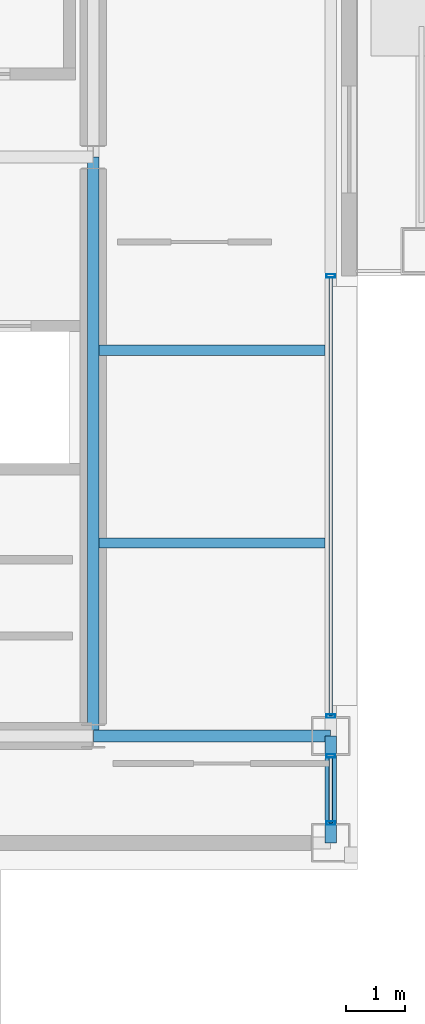
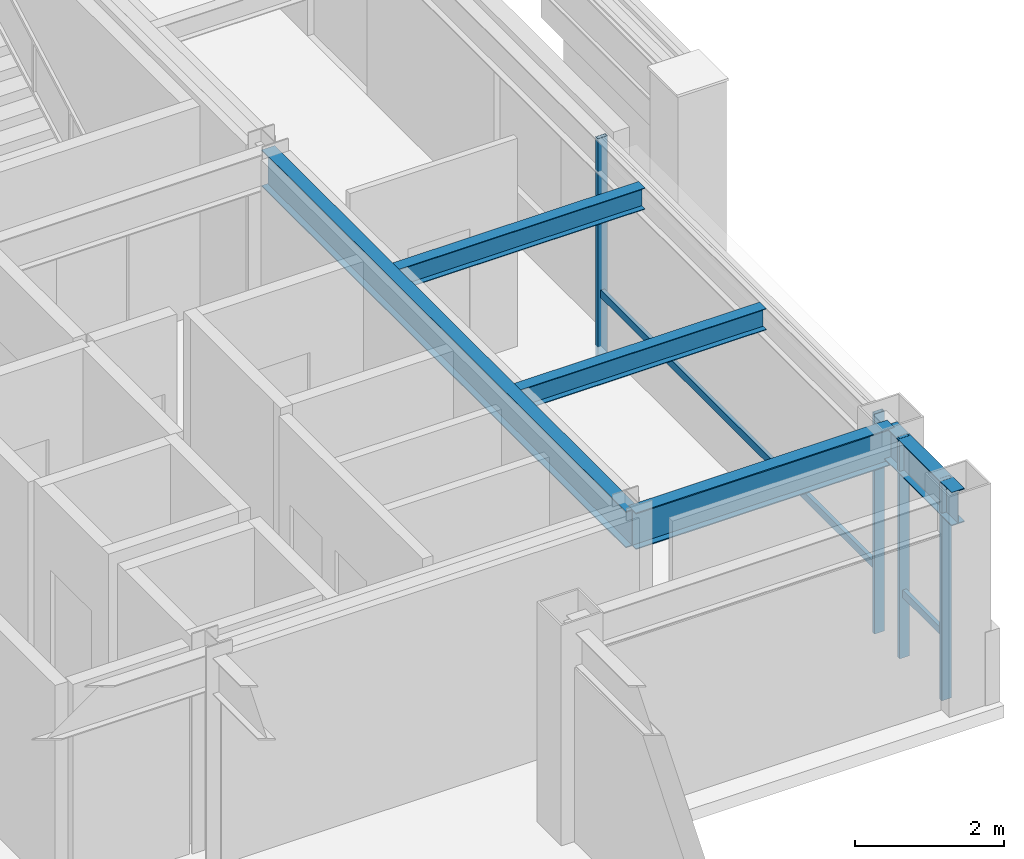
# One storey, part 11 of 24: 6 members, 5 beams, 2 elements without a shape of their own.
"""IFC4 building model written with IfcOpenShell, lengths in metres."""

from ifc_helpers import new_model, si_unit, direction, frame, origin, origin_2d, place, context, subcontext, project, spatial, hollow_rectangle, i_section, extrude, material, layer, layer_set, material_profile, profile_set, type_object, element, aggregate, save


model = new_model("IFC4")

# Units and contexts
model_context = context("Model", 3, precision=1e-05, world=origin(), true_north=direction((0.0, 1.0)))
body_context = subcontext(model_context, "Body", "Model", "MODEL_VIEW")
ifc_project = project(units=[si_unit("LENGTHUNIT", "METRE"), si_unit("AREAUNIT", "SQUARE_METRE"), si_unit("VOLUMEUNIT", "CUBIC_METRE"), si_unit("PLANEANGLEUNIT", "RADIAN"), si_unit("MASSUNIT", "GRAM", prefix="KILO")], contexts=[model_context])

# Site, building, storey
site_placement = place(None, origin())
site = spatial("IfcSite", under=ifc_project, at=site_placement, CompositionType="ELEMENT")
building_placement = place(site_placement, origin())
building = spatial("IfcBuilding", under=site, at=building_placement, Name="Brelmoor Portico Tower", CompositionType="ELEMENT")
storey_placement = place(building_placement, frame((0.0, 0.0, 240.0)))
storey = spatial("IfcBuildingStorey", under=building, at=storey_placement, Name="L63", CompositionType="ELEMENT", Elevation=240.0)

# Beams
ifc_material_1 = material(Name="Steel Q355B", Category="steel")
ifc_material_profile_1 = material_profile(ifc_material_1, i_section(OverallWidth=0.175048828125, OverallDepth=0.35009765625, WebThickness=0.007080078125, FlangeThickness=0.010986328125, at=origin_2d()), Name="HN 350x175x7x11")
ifc_profile_set_1 = profile_set([ifc_material_profile_1], Name="Steel Q355B")
beam_type_1 = type_object("IfcBeamType", Name="BM-JS-350", PredefinedType="JOIST", material=ifc_profile_set_1)
for number, where, z_axis, x_axis, name in (
    (1, (14.64990234375, -6.5, 3.22509765625), (1.0, 0.0, 0.0), (0.0, 1.0, 0.0), "L63 Secondary Wing Joist JS-E11"),
    (2, (14.64990234375, -3.25, 3.22509765625), (1.0, 0.0, 0.0), (0.0, 1.0, 0.0), "L63 Secondary Wing Joist JS-E12"),
):
    element("IfcBeam", number, at=place(storey_placement, frame(where, z_axis=z_axis, x_axis=x_axis)), inside=storey, type_object=beam_type_1, Name=name, PredefinedType="JOIST", context=body_context, shape_type="SweptSolid", body=[
        extrude(i_section(OverallWidth=0.175048828125, OverallDepth=0.35009765625, WebThickness=0.007080078125, FlangeThickness=0.010986328125, at=origin_2d()), origin(), (0.0, 0.0, 1.0), 3.800048828125),
    ])
ifc_material_profile_2 = material_profile(ifc_material_1, i_section(OverallWidth=0.199951171875, OverallDepth=0.60009765625, WebThickness=0.010986328125, FlangeThickness=0.01708984375, at=origin_2d()), Name="HN 600x200x11x17")
ifc_profile_set_2 = profile_set([ifc_material_profile_2], Name="Steel Q355B")
beam_type_2 = type_object("IfcBeamType", Name="BM-PG-600", PredefinedType="BEAM", material=ifc_profile_set_2)
beam_1_placement = place(storey_placement, frame((14.550048828125, -9.75, 3.10009765625), z_axis=(0.0, 1.0, 0.0), x_axis=(-1.0, 0.0, 0.0)))
element("IfcBeam", 3, at=beam_1_placement, inside=storey, type_object=beam_type_2, Name="L63 Primary Floor Girder PG-09", PredefinedType="BEAM", context=body_context, shape_type="SweptSolid", body=[
    extrude(i_section(OverallWidth=0.199951171875, OverallDepth=0.60009765625, WebThickness=0.010986328125, FlangeThickness=0.01708984375, at=origin_2d()), origin(), (0.0, 0.0, 1.0), 9.75),
])
beam_2_placement = place(storey_placement, frame((14.550048828125, -9.75, 3.10009765625), z_axis=(1.0, 0.0, 0.0), x_axis=(0.0, 1.0, 0.0)))
element("IfcBeam", 4, at=beam_2_placement, inside=storey, type_object=beam_type_2, Name="L63 Primary Floor Girder PG-15", PredefinedType="BEAM", context=body_context, shape_type="SweptSolid", body=[
    extrude(i_section(OverallWidth=0.199951171875, OverallDepth=0.60009765625, WebThickness=0.010986328125, FlangeThickness=0.01708984375, at=origin_2d()), origin(), (0.0, 0.0, 1.0), 4.0),
])
ifc_material_profile_3 = material_profile(ifc_material_1, i_section(OverallWidth=0.199951171875, OverallDepth=0.550048828125, WebThickness=0.010009765625, FlangeThickness=0.01611328125, at=origin_2d()), Name="HN 550x200x10x16")
ifc_profile_set_3 = profile_set([ifc_material_profile_3], Name="Steel Q355B")
beam_type_3 = type_object("IfcBeamType", Name="BM-SP-550", PredefinedType="SPANDREL", material=ifc_profile_set_3)
beam_3_placement = place(storey_placement, frame((18.550048828125, -11.550048828125, 3.125), z_axis=(0.0, 1.0, 0.0), x_axis=(-1.0, 0.0, 0.0)))
element("IfcBeam", 5, at=beam_3_placement, inside=storey, type_object=beam_type_3, Name="L63 Perimeter Spandrel Beam SP-18", PredefinedType="SPANDREL", context=body_context, shape_type="SweptSolid", body=[
    extrude(i_section(OverallWidth=0.199951171875, OverallDepth=0.550048828125, WebThickness=0.010009765625, FlangeThickness=0.01611328125, at=origin_2d()), origin(), (0.0, 0.0, 1.0), 1.800048828125),
])

# Curtain wall, members
ifc_material_2 = material(Name="Anodised Aluminium Alloy 6063-T6", Category="aluminium")
ifc_layer = layer(ifc_material_2, 0.179931640625)
ifc_layer_set = layer_set([ifc_layer], Name="Anodised Aluminium Alloy 6063-T6")
curtain_wall_type = type_object("IfcCurtainWallType", Name="CW-TOWER-Z4", PredefinedType="NOTDEFINED", material=ifc_layer_set)
curtain_wall_1_placement = place(storey_placement, origin())
curtain_wall_1 = element("IfcCurtainWall", 6, at=curtain_wall_1_placement, inside=storey, type_object=curtain_wall_type, Name="L63 Curtain Wall CW-L63-4L-1", PredefinedType="NOTDEFINED")
ifc_material_profile_4 = material_profile(ifc_material_2, hollow_rectangle(XDim=0.06005859375, YDim=0.14990234375, WallThickness=0.00390625, at=origin_2d()), Name="ALU MULLION 60x150")
ifc_profile_set_4 = profile_set([ifc_material_profile_4], Name="Anodised Aluminium Alloy 6063-T6")
member_type_1 = type_object("IfcMemberType", Name="MB-CW-MULL-150", PredefinedType="MULLION", material=ifc_profile_set_4)
member_1_placement = place(storey_placement, frame((18.550048828125, -11.215087890625, -0.199951171875), z_axis=(0.0, 0.0, 1.0), x_axis=(0.0, 1.0, 0.0)))
member_1 = element("IfcMember", 7, at=member_1_placement, type_object=member_type_1, Name="CW-L63-4L-1 Mullion 00", PredefinedType="MULLION", context=body_context, shape_type="SweptSolid", body=[
    extrude(hollow_rectangle(XDim=0.06005859375, YDim=0.14990234375, WallThickness=0.00390625, at=origin_2d()), origin(), (0.0, 0.0, 1.0), 3.599853515625),
])
member_2_placement = place(storey_placement, frame((18.550048828125, -10.0849609375, -0.199951171875), z_axis=(0.0, 0.0, 1.0), x_axis=(0.0, 1.0, 0.0)))
member_2 = element("IfcMember", 8, at=member_2_placement, type_object=member_type_1, Name="CW-L63-4L-1 Mullion 01", PredefinedType="MULLION", context=body_context, shape_type="SweptSolid", body=[
    extrude(hollow_rectangle(XDim=0.06005859375, YDim=0.14990234375, WallThickness=0.00390625, at=origin_2d()), origin(), (0.0, 0.0, 1.0), 3.599853515625),
])

curtain_wall_2_placement = place(storey_placement, origin())
curtain_wall_2 = element("IfcCurtainWall", 9, at=curtain_wall_2_placement, inside=storey, type_object=curtain_wall_type, Name="L63 Curtain Wall CW-L63-4L-2", PredefinedType="NOTDEFINED")
member_3_placement = place(storey_placement, frame((18.550048828125, -9.4150390625, -0.199951171875), z_axis=(0.0, 0.0, 1.0), x_axis=(0.0, 1.0, 0.0)))
member_3 = element("IfcMember", 10, at=member_3_placement, type_object=member_type_1, Name="CW-L63-4L-2 Mullion 00", PredefinedType="MULLION", context=body_context, shape_type="SweptSolid", body=[
    extrude(hollow_rectangle(XDim=0.06005859375, YDim=0.14990234375, WallThickness=0.00390625, at=origin_2d()), origin(), (0.0, 0.0, 1.0), 3.599853515625),
])
member_4_placement = place(storey_placement, frame((18.550048828125, -2.0, -0.199951171875), z_axis=(0.0, 0.0, 1.0), x_axis=(0.0, 1.0, 0.0)))
member_4 = element("IfcMember", 11, at=member_4_placement, type_object=member_type_1, Name="CW-L63-4L-2 Mullion 01", PredefinedType="MULLION", context=body_context, shape_type="SweptSolid", body=[
    extrude(hollow_rectangle(XDim=0.06005859375, YDim=0.14990234375, WallThickness=0.00390625, at=origin_2d()), origin(), (0.0, 0.0, 1.0), 3.599853515625),
])

# Member
ifc_material_profile_5 = material_profile(ifc_material_2, hollow_rectangle(XDim=0.06005859375, YDim=0.125, WallThickness=0.00341796875, at=origin_2d()), Name="ALU TRANSOM 60x125")
ifc_profile_set_5 = profile_set([ifc_material_profile_5], Name="Anodised Aluminium Alloy 6063-T6")
member_type_2 = type_object("IfcMemberType", Name="MB-CW-TRAN-125", PredefinedType="USERDEFINED", material=ifc_profile_set_5)
member_5_placement = place(storey_placement, frame((18.550048828125, -11.215087890625, 0.85009765625), z_axis=(0.0, 1.0, 0.0), x_axis=(-1.0, 0.0, 0.0)))
member_5 = element("IfcMember", 12, at=member_5_placement, type_object=member_type_2, Name="CW-L63-4L-1 Transom 1-00", ObjectType="TRANSOM", PredefinedType="USERDEFINED", context=body_context, shape_type="SweptSolid", body=[
    extrude(hollow_rectangle(XDim=0.06005859375, YDim=0.125, WallThickness=0.00341796875, at=origin_2d()), origin(), (0.0, 0.0, 1.0), 1.130126953125),
])

aggregate(curtain_wall_1, [member_1, member_2, member_5])

member_6_placement = place(storey_placement, frame((18.550048828125, -9.4150390625, 0.85009765625), z_axis=(0.0, 1.0, 0.0), x_axis=(-1.0, 0.0, 0.0)))
member_6 = element("IfcMember", 13, at=member_6_placement, type_object=member_type_2, Name="CW-L63-4L-2 Transom 1-00", ObjectType="TRANSOM", PredefinedType="USERDEFINED", context=body_context, shape_type="SweptSolid", body=[
    extrude(hollow_rectangle(XDim=0.06005859375, YDim=0.125, WallThickness=0.00341796875, at=origin_2d()), origin(), (0.0, 0.0, 1.0), 7.4150390625),
])

aggregate(curtain_wall_2, [member_3, member_4, member_6])

save(model, "model.ifc")
